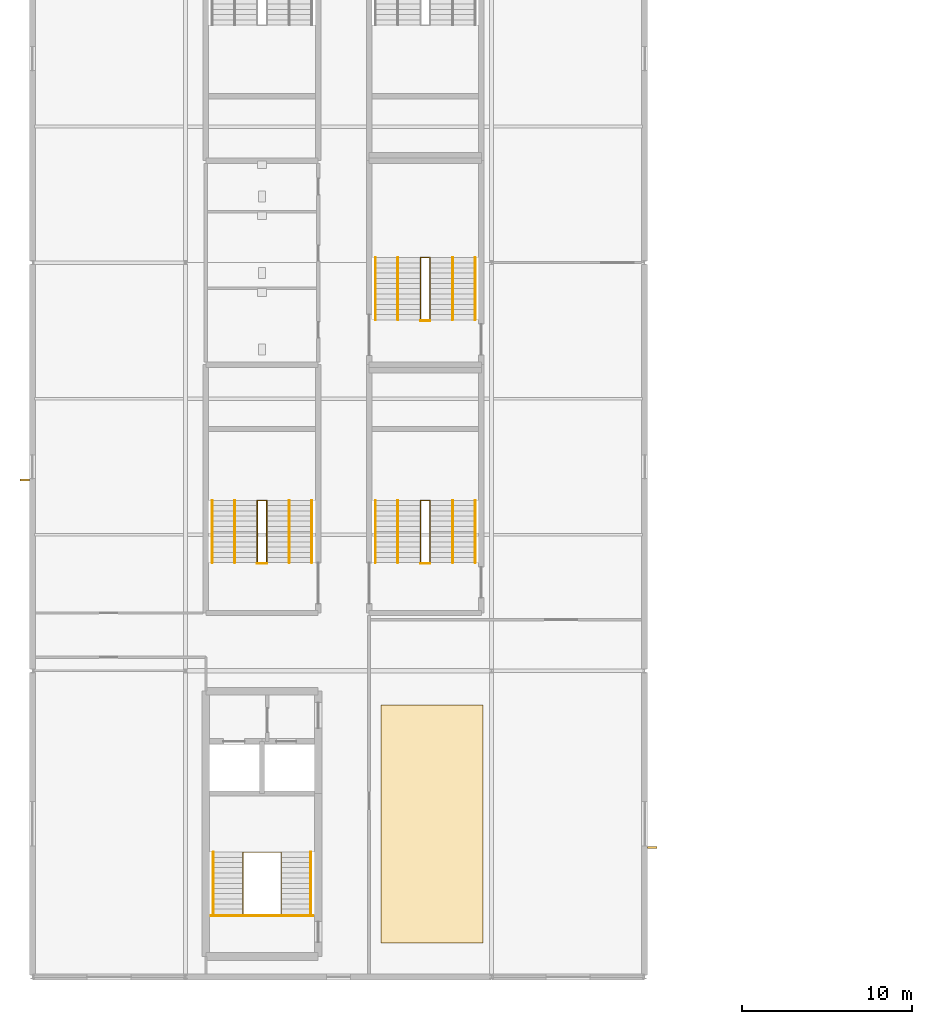
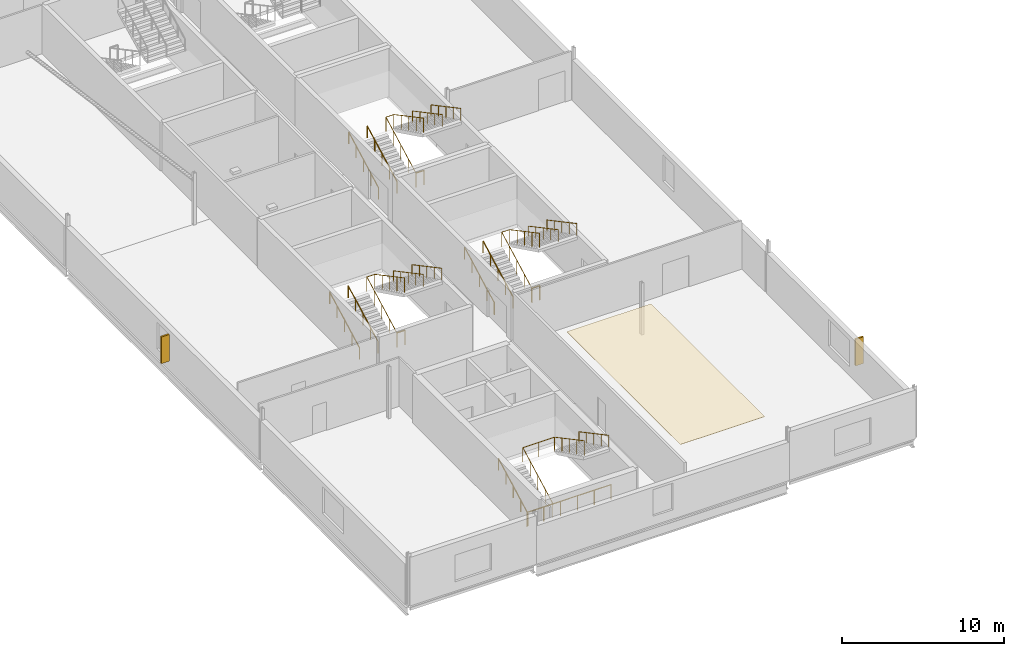
# One storey, part 31 of 35: 22 railings, 2 shading devices, 1 covering.
"""IFC4 building model written with IfcOpenShell, lengths in metres."""

from ifc_helpers import new_model, si_unit, direction, frame, origin, origin_2d, place, context, subcontext, project, spatial, polyline, rectangle, circle, outline, extrude, material, layer, layer_set, type_object, element, save


model = new_model("IFC4")

# Units and contexts
model_context = context("Model", 3, precision=1e-05, world=origin(), true_north=direction((0.0, 1.0)))
body_context = subcontext(model_context, "Body", "Model", "MODEL_VIEW")
ifc_project = project(units=[si_unit("LENGTHUNIT", "METRE"), si_unit("AREAUNIT", "SQUARE_METRE"), si_unit("VOLUMEUNIT", "CUBIC_METRE"), si_unit("PLANEANGLEUNIT", "RADIAN"), si_unit("MASSUNIT", "GRAM", prefix="KILO")], contexts=[model_context])

# Site, building, storey
site_placement = place(None, origin())
site = spatial("IfcSite", under=ifc_project, at=site_placement, CompositionType="ELEMENT")
building_placement = place(site_placement, origin())
building = spatial("IfcBuilding", under=site, at=building_placement, Name="Kisiwana Market Hall", CompositionType="ELEMENT")
storey_placement = place(building_placement, frame((0.0, 0.0, 61.800048828125)))
storey = spatial("IfcBuildingStorey", under=building, at=storey_placement, Name="L14", CompositionType="ELEMENT", Elevation=61.800048828125)

# Covering
ifc_material_1 = material(Name="Mineral-fibre acoustic ceiling board")
ifc_layer = layer(ifc_material_1, 0.02490234375)
ifc_layer_set = layer_set([ifc_layer], Name="COV-CEIL-AC")
covering_type = type_object("IfcCoveringType", Name="COV-CEIL-AC", PredefinedType="CEILING", material=ifc_layer_set)
covering_placement = place(storey_placement, frame((0.0, 0.0, 3.6298828125)))
element("IfcCovering", 1, at=covering_placement, inside=storey, type_object=covering_type, Name="Acoustic ceiling grid L14-031", PredefinedType="CEILING", context=body_context, shape_type="SweptSolid", body=[
    extrude(outline(polyline([(20.5, 20.0), (26.5, 20.0), (26.5, 34.0), (20.5, 34.0), (20.5, 20.0)])), origin(), (0.0, 0.0, 1.0), 0.025146484375),
])

# Railings
ifc_material_2 = material(Name="Steel S275", Category="steel")
railing_type_1 = type_object("IfcRailingType", Name="RL-GUARD-1100", PredefinedType="GUARDRAIL", material=ifc_material_2)
railing_1_placement = place(storey_placement, frame((12.375, 21.674560546875, 0.0)))
element("IfcRailing", 2, at=railing_1_placement, inside=storey, type_object=railing_type_1, Name="Stair ST-W2-L14 inner-well guardrail (RL-1587)", PredefinedType="GUARDRAIL", context=body_context, shape_type="SweptSolid", body=[
    extrude(circle(Radius=0.02392578125, at=origin_2d()), frame((0.0, 0.0, 1.076171875), z_axis=(0.0, 0.88255331184, 0.47021234752), x_axis=(-1.0, 0.0, 0.0)), (0.0, 0.0, 1.0), 4.14697265625),
    extrude(circle(Radius=0.02392578125, at=origin_2d()), frame((0.0, 3.659912109375, 3.02587890625), z_axis=(1.0, 0.0, 0.0), x_axis=(0.0, 1.0, 0.0)), (0.0, 0.0, 1.0), 2.25),
    extrude(circle(Radius=0.02392578125, at=origin_2d()), frame((2.25, 3.659912109375, 3.02587890625), z_axis=(0.0, -0.88255331184, 0.47021234752), x_axis=(1.0, 0.0, 0.0)), (0.0, 0.0, 1.0), 4.14697265625),
    extrude(circle(Radius=0.02099609375, at=origin_2d()), origin(), (0.0, 0.0, 1.0), 1.052001953125),
    extrude(circle(Radius=0.02099609375, at=origin_2d()), frame((0.0, 0.9150390625, 0.487548828125)), (0.0, 0.0, 1.0), 1.052001953125),
    extrude(circle(Radius=0.02099609375, at=origin_2d()), frame((0.0, 1.830078125, 0.97509765625)), (0.0, 0.0, 1.0), 1.052001953125),
    extrude(circle(Radius=0.02099609375, at=origin_2d()), frame((0.0, 2.744873046875, 1.46240234375)), (0.0, 0.0, 1.0), 1.052001953125),
    extrude(circle(Radius=0.02099609375, at=origin_2d()), frame((0.0, 3.659912109375, 1.949951171875)), (0.0, 0.0, 1.0), 1.052001953125),
    extrude(circle(Radius=0.02099609375, at=origin_2d()), frame((1.125, 3.659912109375, 1.949951171875)), (0.0, 0.0, 1.0), 1.052001953125),
    extrude(circle(Radius=0.02099609375, at=origin_2d()), frame((2.25, 3.659912109375, 1.949951171875)), (0.0, 0.0, 1.0), 1.052001953125),
    extrude(circle(Radius=0.02099609375, at=origin_2d()), frame((2.25, 2.744873046875, 2.4375)), (0.0, 0.0, 1.0), 1.052001953125),
    extrude(circle(Radius=0.02099609375, at=origin_2d()), frame((2.25, 1.830078125, 2.9248046875)), (0.0, 0.0, 1.0), 1.052001953125),
    extrude(circle(Radius=0.02099609375, at=origin_2d()), frame((2.25, 0.9150390625, 3.412353515625)), (0.0, 0.0, 1.0), 1.052001953125),
    extrude(circle(Radius=0.02099609375, at=origin_2d()), frame((2.25, 0.0, 3.89990234375)), (0.0, 0.0, 1.0), 1.052001953125),
])
railing_2_placement = place(storey_placement, frame((10.5048828125, 21.594482421875, 0.0)))
element("IfcRailing", 3, at=railing_2_placement, inside=storey, type_object=railing_type_1, Name="Stair ST-W2-L14 landing edge guardrail (RL-1590)", PredefinedType="GUARDRAIL", context=body_context, shape_type="SweptSolid", body=[
    extrude(circle(Radius=0.02392578125, at=origin_2d()), frame((0.0, 0.0, 1.076171875), z_axis=(1.0, 0.0, 0.0), x_axis=(0.0, 1.0, 0.0)), (0.0, 0.0, 1.0), 5.990234375),
    extrude(circle(Radius=0.02099609375, at=origin_2d()), origin(), (0.0, 0.0, 1.0), 1.052001953125),
    extrude(circle(Radius=0.02099609375, at=origin_2d()), frame((1.197998046875, 0.0, 0.0)), (0.0, 0.0, 1.0), 1.052001953125),
    extrude(circle(Radius=0.02099609375, at=origin_2d()), frame((2.39599609375, 0.0, 0.0)), (0.0, 0.0, 1.0), 1.052001953125),
    extrude(circle(Radius=0.02099609375, at=origin_2d()), frame((3.59423828125, 0.0, 0.0)), (0.0, 0.0, 1.0), 1.052001953125),
    extrude(circle(Radius=0.02099609375, at=origin_2d()), frame((4.792236328125, 0.0, 0.0)), (0.0, 0.0, 1.0), 1.052001953125),
    extrude(circle(Radius=0.02099609375, at=origin_2d()), frame((5.990234375, 0.0, 0.0)), (0.0, 0.0, 1.0), 1.052001953125),
])
railing_3_placement = place(storey_placement, frame((13.219970703125, 42.360107421875, 0.0)))
element("IfcRailing", 4, at=railing_3_placement, inside=storey, type_object=railing_type_1, Name="Stair ST-W3-L14 inner-well guardrail (RL-1603)", PredefinedType="GUARDRAIL", context=body_context, shape_type="SweptSolid", body=[
    extrude(circle(Radius=0.02392578125, at=origin_2d()), frame((0.0, 0.0, 1.076171875), z_axis=(0.0, 0.88255331184, 0.47021234752), x_axis=(-1.0, 0.0, 0.0)), (0.0, 0.0, 1.0), 4.14697265625),
    extrude(circle(Radius=0.02392578125, at=origin_2d()), frame((0.0, 3.659912109375, 3.02587890625), z_axis=(1.0, 0.0, 0.0), x_axis=(0.0, 1.0, 0.0)), (0.0, 0.0, 1.0), 0.56005859375),
    extrude(circle(Radius=0.02392578125, at=origin_2d()), frame((0.56005859375, 3.659912109375, 3.02587890625), z_axis=(0.0, -0.88255331184, 0.47021234752), x_axis=(1.0, 0.0, 0.0)), (0.0, 0.0, 1.0), 4.14697265625),
    extrude(circle(Radius=0.02099609375, at=origin_2d()), origin(), (0.0, 0.0, 1.0), 1.052001953125),
    extrude(circle(Radius=0.02099609375, at=origin_2d()), frame((0.0, 0.9150390625, 0.487548828125)), (0.0, 0.0, 1.0), 1.052001953125),
    extrude(circle(Radius=0.02099609375, at=origin_2d()), frame((0.0, 1.830078125, 0.97509765625)), (0.0, 0.0, 1.0), 1.052001953125),
    extrude(circle(Radius=0.02099609375, at=origin_2d()), frame((0.0, 2.744873046875, 1.46240234375)), (0.0, 0.0, 1.0), 1.052001953125),
    extrude(circle(Radius=0.02099609375, at=origin_2d()), frame((0.0, 3.659912109375, 1.949951171875)), (0.0, 0.0, 1.0), 1.052001953125),
    extrude(circle(Radius=0.02099609375, at=origin_2d()), frame((0.56005859375, 3.659912109375, 1.949951171875)), (0.0, 0.0, 1.0), 1.052001953125),
    extrude(circle(Radius=0.02099609375, at=origin_2d()), frame((0.56005859375, 2.744873046875, 2.4375)), (0.0, 0.0, 1.0), 1.052001953125),
    extrude(circle(Radius=0.02099609375, at=origin_2d()), frame((0.56005859375, 1.830078125, 2.9248046875)), (0.0, 0.0, 1.0), 1.052001953125),
    extrude(circle(Radius=0.02099609375, at=origin_2d()), frame((0.56005859375, 0.9150390625, 3.412353515625)), (0.0, 0.0, 1.0), 1.052001953125),
    extrude(circle(Radius=0.02099609375, at=origin_2d()), frame((0.56005859375, 0.0, 3.89990234375)), (0.0, 0.0, 1.0), 1.052001953125),
])
railing_4_placement = place(storey_placement, frame((13.219970703125, 42.31005859375, 0.0)))
element("IfcRailing", 5, at=railing_4_placement, inside=storey, type_object=railing_type_1, Name="Stair ST-W3-L14 landing edge guardrail (RL-1608)", PredefinedType="GUARDRAIL", context=body_context, shape_type="SweptSolid", body=[
    extrude(circle(Radius=0.02392578125, at=origin_2d()), frame((0.0, 0.0, 1.076171875), z_axis=(1.0, 0.0, 0.0), x_axis=(0.0, 1.0, 0.0)), (0.0, 0.0, 1.0), 0.56005859375),
    extrude(circle(Radius=0.02099609375, at=origin_2d()), origin(), (0.0, 0.0, 1.0), 1.052001953125),
    extrude(circle(Radius=0.02099609375, at=origin_2d()), frame((0.56005859375, 0.0, 0.0)), (0.0, 0.0, 1.0), 1.052001953125),
])
railing_5_placement = place(storey_placement, frame((22.820068359375, 42.360107421875, 0.0)))
element("IfcRailing", 6, at=railing_5_placement, inside=storey, type_object=railing_type_1, Name="Stair ST-W7-L14 inner-well guardrail (RL-1627)", PredefinedType="GUARDRAIL", context=body_context, shape_type="SweptSolid", body=[
    extrude(circle(Radius=0.02392578125, at=origin_2d()), frame((0.0, 0.0, 1.076171875), z_axis=(0.0, 0.88255331184, 0.47021234752), x_axis=(-1.0, 0.0, 0.0)), (0.0, 0.0, 1.0), 4.14697265625),
    extrude(circle(Radius=0.02392578125, at=origin_2d()), frame((0.0, 3.659912109375, 3.02587890625), z_axis=(1.0, 0.0, 0.0), x_axis=(0.0, 1.0, 0.0)), (0.0, 0.0, 1.0), 0.559814453125),
    extrude(circle(Radius=0.02392578125, at=origin_2d()), frame((0.559814453125, 3.659912109375, 3.02587890625), z_axis=(0.0, -0.88255331184, 0.47021234752), x_axis=(1.0, 0.0, 0.0)), (0.0, 0.0, 1.0), 4.14697265625),
    extrude(circle(Radius=0.02099609375, at=origin_2d()), origin(), (0.0, 0.0, 1.0), 1.052001953125),
    extrude(circle(Radius=0.02099609375, at=origin_2d()), frame((0.0, 0.9150390625, 0.487548828125)), (0.0, 0.0, 1.0), 1.052001953125),
    extrude(circle(Radius=0.02099609375, at=origin_2d()), frame((0.0, 1.830078125, 0.97509765625)), (0.0, 0.0, 1.0), 1.052001953125),
    extrude(circle(Radius=0.02099609375, at=origin_2d()), frame((0.0, 2.744873046875, 1.46240234375)), (0.0, 0.0, 1.0), 1.052001953125),
    extrude(circle(Radius=0.02099609375, at=origin_2d()), frame((0.0, 3.659912109375, 1.949951171875)), (0.0, 0.0, 1.0), 1.052001953125),
    extrude(circle(Radius=0.02099609375, at=origin_2d()), frame((0.559814453125, 3.659912109375, 1.949951171875)), (0.0, 0.0, 1.0), 1.052001953125),
    extrude(circle(Radius=0.02099609375, at=origin_2d()), frame((0.559814453125, 2.744873046875, 2.4375)), (0.0, 0.0, 1.0), 1.052001953125),
    extrude(circle(Radius=0.02099609375, at=origin_2d()), frame((0.559814453125, 1.830078125, 2.9248046875)), (0.0, 0.0, 1.0), 1.052001953125),
    extrude(circle(Radius=0.02099609375, at=origin_2d()), frame((0.559814453125, 0.9150390625, 3.412353515625)), (0.0, 0.0, 1.0), 1.052001953125),
    extrude(circle(Radius=0.02099609375, at=origin_2d()), frame((0.559814453125, 0.0, 3.89990234375)), (0.0, 0.0, 1.0), 1.052001953125),
])
railing_6_placement = place(storey_placement, frame((22.820068359375, 42.31005859375, 0.0)))
element("IfcRailing", 7, at=railing_6_placement, inside=storey, type_object=railing_type_1, Name="Stair ST-W7-L14 landing edge guardrail (RL-1632)", PredefinedType="GUARDRAIL", context=body_context, shape_type="SweptSolid", body=[
    extrude(circle(Radius=0.02392578125, at=origin_2d()), frame((0.0, 0.0, 1.076171875), z_axis=(1.0, 0.0, 0.0), x_axis=(0.0, 1.0, 0.0)), (0.0, 0.0, 1.0), 0.559814453125),
    extrude(circle(Radius=0.02099609375, at=origin_2d()), origin(), (0.0, 0.0, 1.0), 1.052001953125),
    extrude(circle(Radius=0.02099609375, at=origin_2d()), frame((0.559814453125, 0.0, 0.0)), (0.0, 0.0, 1.0), 1.052001953125),
])
railing_7_placement = place(storey_placement, frame((22.820068359375, 56.639892578125, 0.0)))
element("IfcRailing", 8, at=railing_7_placement, inside=storey, type_object=railing_type_1, Name="Stair ST-W5-L14 inner-well guardrail (RL-1651)", PredefinedType="GUARDRAIL", context=body_context, shape_type="SweptSolid", body=[
    extrude(circle(Radius=0.02392578125, at=origin_2d()), frame((0.0, 0.0, 1.076171875), z_axis=(0.0, 0.882566327451, 0.470187917379), x_axis=(-1.0, 0.0, 0.0)), (0.0, 0.0, 1.0), 4.147216796875),
    extrude(circle(Radius=0.02392578125, at=origin_2d()), frame((0.0, 3.66015625, 3.02587890625), z_axis=(1.0, 0.0, 0.0), x_axis=(0.0, 1.0, 0.0)), (0.0, 0.0, 1.0), 0.559814453125),
    extrude(circle(Radius=0.02392578125, at=origin_2d()), frame((0.559814453125, 3.66015625, 3.02587890625), z_axis=(0.0, -0.882566327451, 0.470187917379), x_axis=(1.0, 0.0, 0.0)), (0.0, 0.0, 1.0), 4.147216796875),
    extrude(circle(Radius=0.02099609375, at=origin_2d()), origin(), (0.0, 0.0, 1.0), 1.052001953125),
    extrude(circle(Radius=0.02099609375, at=origin_2d()), frame((0.0, 0.9150390625, 0.487548828125)), (0.0, 0.0, 1.0), 1.052001953125),
    extrude(circle(Radius=0.02099609375, at=origin_2d()), frame((0.0, 1.830078125, 0.97509765625)), (0.0, 0.0, 1.0), 1.052001953125),
    extrude(circle(Radius=0.02099609375, at=origin_2d()), frame((0.0, 2.7451171875, 1.46240234375)), (0.0, 0.0, 1.0), 1.052001953125),
    extrude(circle(Radius=0.02099609375, at=origin_2d()), frame((0.0, 3.66015625, 1.949951171875)), (0.0, 0.0, 1.0), 1.052001953125),
    extrude(circle(Radius=0.02099609375, at=origin_2d()), frame((0.559814453125, 3.66015625, 1.949951171875)), (0.0, 0.0, 1.0), 1.052001953125),
    extrude(circle(Radius=0.02099609375, at=origin_2d()), frame((0.559814453125, 2.7451171875, 2.4375)), (0.0, 0.0, 1.0), 1.052001953125),
    extrude(circle(Radius=0.02099609375, at=origin_2d()), frame((0.559814453125, 1.830078125, 2.9248046875)), (0.0, 0.0, 1.0), 1.052001953125),
    extrude(circle(Radius=0.02099609375, at=origin_2d()), frame((0.559814453125, 0.9150390625, 3.412353515625)), (0.0, 0.0, 1.0), 1.052001953125),
    extrude(circle(Radius=0.02099609375, at=origin_2d()), frame((0.559814453125, 0.0, 3.89990234375)), (0.0, 0.0, 1.0), 1.052001953125),
])
railing_8_placement = place(storey_placement, frame((22.820068359375, 56.590087890625, 0.0)))
element("IfcRailing", 9, at=railing_8_placement, inside=storey, type_object=railing_type_1, Name="Stair ST-W5-L14 landing edge guardrail (RL-1656)", PredefinedType="GUARDRAIL", context=body_context, shape_type="SweptSolid", body=[
    extrude(circle(Radius=0.02392578125, at=origin_2d()), frame((0.0, 0.0, 1.076171875), z_axis=(1.0, 0.0, 0.0), x_axis=(0.0, 1.0, 0.0)), (0.0, 0.0, 1.0), 0.559814453125),
    extrude(circle(Radius=0.02099609375, at=origin_2d()), origin(), (0.0, 0.0, 1.0), 1.052001953125),
    extrude(circle(Radius=0.02099609375, at=origin_2d()), frame((0.559814453125, 0.0, 0.0)), (0.0, 0.0, 1.0), 1.052001953125),
])
ifc_material_3 = material(Name="Steel S275", Category="steel")
railing_type_2 = type_object("IfcRailingType", Name="RL-HAND-900", PredefinedType="HANDRAIL", material=ifc_material_3)
railing_9_placement = place(storey_placement, frame((10.635009765625, 21.674560546875, 0.0)))
element("IfcRailing", 10, at=railing_9_placement, inside=storey, type_object=railing_type_2, Name="Stair ST-W2-L14 flight 1 handrail (RL-1588)", PredefinedType="HANDRAIL", context=body_context, shape_type="SweptSolid", body=[
    extrude(circle(Radius=0.02392578125, at=origin_2d()), frame((0.0, 0.0, 0.8759765625), z_axis=(0.0, 0.88255331184, 0.47021234752), x_axis=(-1.0, 0.0, 0.0)), (0.0, 0.0, 1.0), 4.14697265625),
    extrude(circle(Radius=0.02099609375, at=origin_2d()), origin(), (0.0, 0.0, 1.0), 0.851806640625),
    extrude(circle(Radius=0.02099609375, at=origin_2d()), frame((0.0, 0.9150390625, 0.487548828125)), (0.0, 0.0, 1.0), 0.851806640625),
    extrude(circle(Radius=0.02099609375, at=origin_2d()), frame((0.0, 1.830078125, 0.97509765625)), (0.0, 0.0, 1.0), 0.851806640625),
    extrude(circle(Radius=0.02099609375, at=origin_2d()), frame((0.0, 2.744873046875, 1.46240234375)), (0.0, 0.0, 1.0), 0.851806640625),
    extrude(circle(Radius=0.02099609375, at=origin_2d()), frame((0.0, 3.659912109375, 1.949951171875)), (0.0, 0.0, 1.0), 0.851806640625),
])
railing_10_placement = place(storey_placement, frame((16.364990234375, 25.33447265625, 1.949951171875)))
element("IfcRailing", 11, at=railing_10_placement, inside=storey, type_object=railing_type_2, Name="Stair ST-W2-L14 flight 2 handrail (RL-1589)", PredefinedType="HANDRAIL", context=body_context, shape_type="SweptSolid", body=[
    extrude(circle(Radius=0.02392578125, at=origin_2d()), frame((0.0, 0.0, 0.8759765625), z_axis=(0.0, -0.88255331184, 0.47021234752), x_axis=(1.0, 0.0, 0.0)), (0.0, 0.0, 1.0), 4.14697265625),
    extrude(circle(Radius=0.02099609375, at=origin_2d()), origin(), (0.0, 0.0, 1.0), 0.851806640625),
    extrude(circle(Radius=0.02099609375, at=origin_2d()), frame((0.0, -0.9150390625, 0.487548828125)), (0.0, 0.0, 1.0), 0.851806640625),
    extrude(circle(Radius=0.02099609375, at=origin_2d()), frame((0.0, -1.830078125, 0.97509765625)), (0.0, 0.0, 1.0), 0.851806640625),
    extrude(circle(Radius=0.02099609375, at=origin_2d()), frame((0.0, -2.744873046875, 1.46240234375)), (0.0, 0.0, 1.0), 0.851806640625),
    extrude(circle(Radius=0.02099609375, at=origin_2d()), frame((0.0, -3.659912109375, 1.949951171875)), (0.0, 0.0, 1.0), 0.851806640625),
])
railing_11_placement = place(storey_placement, frame((10.570068359375, 42.360107421875, 0.0)))
element("IfcRailing", 12, at=railing_11_placement, inside=storey, type_object=railing_type_2, Name="Stair ST-W3-L14 flight 1 handrail (RL-1604)", PredefinedType="HANDRAIL", context=body_context, shape_type="SweptSolid", body=[
    extrude(circle(Radius=0.02392578125, at=origin_2d()), frame((0.0, 0.0, 0.8759765625), z_axis=(0.0, 0.88255331184, 0.47021234752), x_axis=(-1.0, 0.0, 0.0)), (0.0, 0.0, 1.0), 4.14697265625),
    extrude(circle(Radius=0.02099609375, at=origin_2d()), origin(), (0.0, 0.0, 1.0), 0.851806640625),
    extrude(circle(Radius=0.02099609375, at=origin_2d()), frame((0.0, 0.9150390625, 0.487548828125)), (0.0, 0.0, 1.0), 0.851806640625),
    extrude(circle(Radius=0.02099609375, at=origin_2d()), frame((0.0, 1.830078125, 0.97509765625)), (0.0, 0.0, 1.0), 0.851806640625),
    extrude(circle(Radius=0.02099609375, at=origin_2d()), frame((0.0, 2.744873046875, 1.46240234375)), (0.0, 0.0, 1.0), 0.851806640625),
    extrude(circle(Radius=0.02099609375, at=origin_2d()), frame((0.0, 3.659912109375, 1.949951171875)), (0.0, 0.0, 1.0), 0.851806640625),
])
railing_12_placement = place(storey_placement, frame((16.429931640625, 46.02001953125, 1.949951171875)))
element("IfcRailing", 13, at=railing_12_placement, inside=storey, type_object=railing_type_2, Name="Stair ST-W3-L14 flight 2 handrail (RL-1605)", PredefinedType="HANDRAIL", context=body_context, shape_type="SweptSolid", body=[
    extrude(circle(Radius=0.02392578125, at=origin_2d()), frame((0.0, 0.0, 0.8759765625), z_axis=(0.0, -0.88255331184, 0.47021234752), x_axis=(1.0, 0.0, 0.0)), (0.0, 0.0, 1.0), 4.14697265625),
    extrude(circle(Radius=0.02099609375, at=origin_2d()), origin(), (0.0, 0.0, 1.0), 0.851806640625),
    extrude(circle(Radius=0.02099609375, at=origin_2d()), frame((0.0, -0.9150390625, 0.487548828125)), (0.0, 0.0, 1.0), 0.851806640625),
    extrude(circle(Radius=0.02099609375, at=origin_2d()), frame((0.0, -1.830078125, 0.97509765625)), (0.0, 0.0, 1.0), 0.851806640625),
    extrude(circle(Radius=0.02099609375, at=origin_2d()), frame((0.0, -2.744873046875, 1.46240234375)), (0.0, 0.0, 1.0), 0.851806640625),
    extrude(circle(Radius=0.02099609375, at=origin_2d()), frame((0.0, -3.659912109375, 1.949951171875)), (0.0, 0.0, 1.0), 0.851806640625),
])
railing_13_placement = place(storey_placement, frame((11.889892578125, 42.360107421875, 0.0)))
element("IfcRailing", 14, at=railing_13_placement, inside=storey, type_object=railing_type_2, Name="Stair ST-W3-L14 flight 1 intermediate handrail (RL-1606)", PredefinedType="HANDRAIL", context=body_context, shape_type="SweptSolid", body=[
    extrude(circle(Radius=0.02392578125, at=origin_2d()), frame((0.0, 0.0, 0.8759765625), z_axis=(0.0, 0.88255331184, 0.47021234752), x_axis=(-1.0, 0.0, 0.0)), (0.0, 0.0, 1.0), 4.14697265625),
    extrude(circle(Radius=0.02099609375, at=origin_2d()), origin(), (0.0, 0.0, 1.0), 0.851806640625),
    extrude(circle(Radius=0.02099609375, at=origin_2d()), frame((0.0, 0.9150390625, 0.487548828125)), (0.0, 0.0, 1.0), 0.851806640625),
    extrude(circle(Radius=0.02099609375, at=origin_2d()), frame((0.0, 1.830078125, 0.97509765625)), (0.0, 0.0, 1.0), 0.851806640625),
    extrude(circle(Radius=0.02099609375, at=origin_2d()), frame((0.0, 2.744873046875, 1.46240234375)), (0.0, 0.0, 1.0), 0.851806640625),
    extrude(circle(Radius=0.02099609375, at=origin_2d()), frame((0.0, 3.659912109375, 1.949951171875)), (0.0, 0.0, 1.0), 0.851806640625),
])
railing_14_placement = place(storey_placement, frame((15.110107421875, 46.02001953125, 1.949951171875)))
element("IfcRailing", 15, at=railing_14_placement, inside=storey, type_object=railing_type_2, Name="Stair ST-W3-L14 flight 2 intermediate handrail (RL-1607)", PredefinedType="HANDRAIL", context=body_context, shape_type="SweptSolid", body=[
    extrude(circle(Radius=0.02392578125, at=origin_2d()), frame((0.0, 0.0, 0.8759765625), z_axis=(0.0, -0.88255331184, 0.47021234752), x_axis=(1.0, 0.0, 0.0)), (0.0, 0.0, 1.0), 4.14697265625),
    extrude(circle(Radius=0.02099609375, at=origin_2d()), origin(), (0.0, 0.0, 1.0), 0.851806640625),
    extrude(circle(Radius=0.02099609375, at=origin_2d()), frame((0.0, -0.9150390625, 0.487548828125)), (0.0, 0.0, 1.0), 0.851806640625),
    extrude(circle(Radius=0.02099609375, at=origin_2d()), frame((0.0, -1.830078125, 0.97509765625)), (0.0, 0.0, 1.0), 0.851806640625),
    extrude(circle(Radius=0.02099609375, at=origin_2d()), frame((0.0, -2.744873046875, 1.46240234375)), (0.0, 0.0, 1.0), 0.851806640625),
    extrude(circle(Radius=0.02099609375, at=origin_2d()), frame((0.0, -3.659912109375, 1.949951171875)), (0.0, 0.0, 1.0), 0.851806640625),
])
railing_15_placement = place(storey_placement, frame((20.169921875, 42.360107421875, 0.0)))
element("IfcRailing", 16, at=railing_15_placement, inside=storey, type_object=railing_type_2, Name="Stair ST-W7-L14 flight 1 handrail (RL-1628)", PredefinedType="HANDRAIL", context=body_context, shape_type="SweptSolid", body=[
    extrude(circle(Radius=0.02392578125, at=origin_2d()), frame((0.0, 0.0, 0.8759765625), z_axis=(0.0, 0.88255331184, 0.47021234752), x_axis=(-1.0, 0.0, 0.0)), (0.0, 0.0, 1.0), 4.14697265625),
    extrude(circle(Radius=0.02099609375, at=origin_2d()), origin(), (0.0, 0.0, 1.0), 0.851806640625),
    extrude(circle(Radius=0.02099609375, at=origin_2d()), frame((0.0, 0.9150390625, 0.487548828125)), (0.0, 0.0, 1.0), 0.851806640625),
    extrude(circle(Radius=0.02099609375, at=origin_2d()), frame((0.0, 1.830078125, 0.97509765625)), (0.0, 0.0, 1.0), 0.851806640625),
    extrude(circle(Radius=0.02099609375, at=origin_2d()), frame((0.0, 2.744873046875, 1.46240234375)), (0.0, 0.0, 1.0), 0.851806640625),
    extrude(circle(Radius=0.02099609375, at=origin_2d()), frame((0.0, 3.659912109375, 1.949951171875)), (0.0, 0.0, 1.0), 0.851806640625),
])
railing_16_placement = place(storey_placement, frame((26.030029296875, 46.02001953125, 1.949951171875)))
element("IfcRailing", 17, at=railing_16_placement, inside=storey, type_object=railing_type_2, Name="Stair ST-W7-L14 flight 2 handrail (RL-1629)", PredefinedType="HANDRAIL", context=body_context, shape_type="SweptSolid", body=[
    extrude(circle(Radius=0.02392578125, at=origin_2d()), frame((0.0, 0.0, 0.8759765625), z_axis=(0.0, -0.88255331184, 0.47021234752), x_axis=(1.0, 0.0, 0.0)), (0.0, 0.0, 1.0), 4.14697265625),
    extrude(circle(Radius=0.02099609375, at=origin_2d()), origin(), (0.0, 0.0, 1.0), 0.851806640625),
    extrude(circle(Radius=0.02099609375, at=origin_2d()), frame((0.0, -0.9150390625, 0.487548828125)), (0.0, 0.0, 1.0), 0.851806640625),
    extrude(circle(Radius=0.02099609375, at=origin_2d()), frame((0.0, -1.830078125, 0.97509765625)), (0.0, 0.0, 1.0), 0.851806640625),
    extrude(circle(Radius=0.02099609375, at=origin_2d()), frame((0.0, -2.744873046875, 1.46240234375)), (0.0, 0.0, 1.0), 0.851806640625),
    extrude(circle(Radius=0.02099609375, at=origin_2d()), frame((0.0, -3.659912109375, 1.949951171875)), (0.0, 0.0, 1.0), 0.851806640625),
])
railing_17_placement = place(storey_placement, frame((21.489990234375, 42.360107421875, 0.0)))
element("IfcRailing", 18, at=railing_17_placement, inside=storey, type_object=railing_type_2, Name="Stair ST-W7-L14 flight 1 intermediate handrail (RL-1630)", PredefinedType="HANDRAIL", context=body_context, shape_type="SweptSolid", body=[
    extrude(circle(Radius=0.02392578125, at=origin_2d()), frame((0.0, 0.0, 0.8759765625), z_axis=(0.0, 0.88255331184, 0.47021234752), x_axis=(-1.0, 0.0, 0.0)), (0.0, 0.0, 1.0), 4.14697265625),
    extrude(circle(Radius=0.02099609375, at=origin_2d()), origin(), (0.0, 0.0, 1.0), 0.851806640625),
    extrude(circle(Radius=0.02099609375, at=origin_2d()), frame((0.0, 0.9150390625, 0.487548828125)), (0.0, 0.0, 1.0), 0.851806640625),
    extrude(circle(Radius=0.02099609375, at=origin_2d()), frame((0.0, 1.830078125, 0.97509765625)), (0.0, 0.0, 1.0), 0.851806640625),
    extrude(circle(Radius=0.02099609375, at=origin_2d()), frame((0.0, 2.744873046875, 1.46240234375)), (0.0, 0.0, 1.0), 0.851806640625),
    extrude(circle(Radius=0.02099609375, at=origin_2d()), frame((0.0, 3.659912109375, 1.949951171875)), (0.0, 0.0, 1.0), 0.851806640625),
])
railing_18_placement = place(storey_placement, frame((24.7099609375, 46.02001953125, 1.949951171875)))
element("IfcRailing", 19, at=railing_18_placement, inside=storey, type_object=railing_type_2, Name="Stair ST-W7-L14 flight 2 intermediate handrail (RL-1631)", PredefinedType="HANDRAIL", context=body_context, shape_type="SweptSolid", body=[
    extrude(circle(Radius=0.02392578125, at=origin_2d()), frame((0.0, 0.0, 0.8759765625), z_axis=(0.0, -0.88255331184, 0.47021234752), x_axis=(1.0, 0.0, 0.0)), (0.0, 0.0, 1.0), 4.14697265625),
    extrude(circle(Radius=0.02099609375, at=origin_2d()), origin(), (0.0, 0.0, 1.0), 0.851806640625),
    extrude(circle(Radius=0.02099609375, at=origin_2d()), frame((0.0, -0.9150390625, 0.487548828125)), (0.0, 0.0, 1.0), 0.851806640625),
    extrude(circle(Radius=0.02099609375, at=origin_2d()), frame((0.0, -1.830078125, 0.97509765625)), (0.0, 0.0, 1.0), 0.851806640625),
    extrude(circle(Radius=0.02099609375, at=origin_2d()), frame((0.0, -2.744873046875, 1.46240234375)), (0.0, 0.0, 1.0), 0.851806640625),
    extrude(circle(Radius=0.02099609375, at=origin_2d()), frame((0.0, -3.659912109375, 1.949951171875)), (0.0, 0.0, 1.0), 0.851806640625),
])
railing_19_placement = place(storey_placement, frame((20.169921875, 56.639892578125, 0.0)))
element("IfcRailing", 20, at=railing_19_placement, inside=storey, type_object=railing_type_2, Name="Stair ST-W5-L14 flight 1 handrail (RL-1652)", PredefinedType="HANDRAIL", context=body_context, shape_type="SweptSolid", body=[
    extrude(circle(Radius=0.02392578125, at=origin_2d()), frame((0.0, 0.0, 0.8759765625), z_axis=(0.0, 0.882566327451, 0.470187917379), x_axis=(-1.0, 0.0, 0.0)), (0.0, 0.0, 1.0), 4.147216796875),
    extrude(circle(Radius=0.02099609375, at=origin_2d()), origin(), (0.0, 0.0, 1.0), 0.851806640625),
    extrude(circle(Radius=0.02099609375, at=origin_2d()), frame((0.0, 0.9150390625, 0.487548828125)), (0.0, 0.0, 1.0), 0.851806640625),
    extrude(circle(Radius=0.02099609375, at=origin_2d()), frame((0.0, 1.830078125, 0.97509765625)), (0.0, 0.0, 1.0), 0.851806640625),
    extrude(circle(Radius=0.02099609375, at=origin_2d()), frame((0.0, 2.7451171875, 1.46240234375)), (0.0, 0.0, 1.0), 0.851806640625),
    extrude(circle(Radius=0.02099609375, at=origin_2d()), frame((0.0, 3.66015625, 1.949951171875)), (0.0, 0.0, 1.0), 0.851806640625),
])
railing_20_placement = place(storey_placement, frame((26.030029296875, 60.300048828125, 1.949951171875)))
element("IfcRailing", 21, at=railing_20_placement, inside=storey, type_object=railing_type_2, Name="Stair ST-W5-L14 flight 2 handrail (RL-1653)", PredefinedType="HANDRAIL", context=body_context, shape_type="SweptSolid", body=[
    extrude(circle(Radius=0.02392578125, at=origin_2d()), frame((0.0, 0.0, 0.8759765625), z_axis=(0.0, -0.882566327451, 0.470187917379), x_axis=(1.0, 0.0, 0.0)), (0.0, 0.0, 1.0), 4.147216796875),
    extrude(circle(Radius=0.02099609375, at=origin_2d()), origin(), (0.0, 0.0, 1.0), 0.851806640625),
    extrude(circle(Radius=0.02099609375, at=origin_2d()), frame((0.0, -0.9150390625, 0.487548828125)), (0.0, 0.0, 1.0), 0.851806640625),
    extrude(circle(Radius=0.02099609375, at=origin_2d()), frame((0.0, -1.830078125, 0.97509765625)), (0.0, 0.0, 1.0), 0.851806640625),
    extrude(circle(Radius=0.02099609375, at=origin_2d()), frame((0.0, -2.7451171875, 1.46240234375)), (0.0, 0.0, 1.0), 0.851806640625),
    extrude(circle(Radius=0.02099609375, at=origin_2d()), frame((0.0, -3.66015625, 1.949951171875)), (0.0, 0.0, 1.0), 0.851806640625),
])
railing_21_placement = place(storey_placement, frame((21.489990234375, 56.639892578125, 0.0)))
element("IfcRailing", 22, at=railing_21_placement, inside=storey, type_object=railing_type_2, Name="Stair ST-W5-L14 flight 1 intermediate handrail (RL-1654)", PredefinedType="HANDRAIL", context=body_context, shape_type="SweptSolid", body=[
    extrude(circle(Radius=0.02392578125, at=origin_2d()), frame((0.0, 0.0, 0.8759765625), z_axis=(0.0, 0.882566327451, 0.470187917379), x_axis=(-1.0, 0.0, 0.0)), (0.0, 0.0, 1.0), 4.147216796875),
    extrude(circle(Radius=0.02099609375, at=origin_2d()), origin(), (0.0, 0.0, 1.0), 0.851806640625),
    extrude(circle(Radius=0.02099609375, at=origin_2d()), frame((0.0, 0.9150390625, 0.487548828125)), (0.0, 0.0, 1.0), 0.851806640625),
    extrude(circle(Radius=0.02099609375, at=origin_2d()), frame((0.0, 1.830078125, 0.97509765625)), (0.0, 0.0, 1.0), 0.851806640625),
    extrude(circle(Radius=0.02099609375, at=origin_2d()), frame((0.0, 2.7451171875, 1.46240234375)), (0.0, 0.0, 1.0), 0.851806640625),
    extrude(circle(Radius=0.02099609375, at=origin_2d()), frame((0.0, 3.66015625, 1.949951171875)), (0.0, 0.0, 1.0), 0.851806640625),
])
railing_22_placement = place(storey_placement, frame((24.7099609375, 60.300048828125, 1.949951171875)))
element("IfcRailing", 23, at=railing_22_placement, inside=storey, type_object=railing_type_2, Name="Stair ST-W5-L14 flight 2 intermediate handrail (RL-1655)", PredefinedType="HANDRAIL", context=body_context, shape_type="SweptSolid", body=[
    extrude(circle(Radius=0.02392578125, at=origin_2d()), frame((0.0, 0.0, 0.8759765625), z_axis=(0.0, -0.882566327451, 0.470187917379), x_axis=(1.0, 0.0, 0.0)), (0.0, 0.0, 1.0), 4.147216796875),
    extrude(circle(Radius=0.02099609375, at=origin_2d()), origin(), (0.0, 0.0, 1.0), 0.851806640625),
    extrude(circle(Radius=0.02099609375, at=origin_2d()), frame((0.0, -0.9150390625, 0.487548828125)), (0.0, 0.0, 1.0), 0.851806640625),
    extrude(circle(Radius=0.02099609375, at=origin_2d()), frame((0.0, -1.830078125, 0.97509765625)), (0.0, 0.0, 1.0), 0.851806640625),
    extrude(circle(Radius=0.02099609375, at=origin_2d()), frame((0.0, -2.7451171875, 1.46240234375)), (0.0, 0.0, 1.0), 0.851806640625),
    extrude(circle(Radius=0.02099609375, at=origin_2d()), frame((0.0, -3.66015625, 1.949951171875)), (0.0, 0.0, 1.0), 0.851806640625),
])

# Shading devices
ifc_material_4 = material(Name="Aluminium alloy 6063-T6", Category="aluminium")
shading_device_type = type_object("IfcShadingDeviceType", Name="SHD-SHUTTER-V", PredefinedType="SHUTTER", material=ifc_material_4)
for number, where, z_axis, x_axis, name in (
    (24, (-0.45751953125, 47.219970703125, 0.699951171875), (0.0, 0.0, 1.0), (0.0, 1.0, 0.0), "Vertical solar fin SHD-216 SD-215"),
    (25, (36.45751953125, 25.6201171875, 0.699951171875), (0.0, 0.0, 1.0), (0.0, 1.0, 0.0), "Vertical solar fin SHD-217 SD-216"),
):
    element("IfcShadingDevice", number, at=place(storey_placement, frame(where, z_axis=z_axis, x_axis=x_axis)), inside=storey, type_object=shading_device_type, Name=name, PredefinedType="SHUTTER", context=body_context, shape_type="SweptSolid", body=[
        extrude(rectangle(XDim=0.1201171875, YDim=0.550048828125, at=origin_2d()), origin(), (0.0, 0.0, 1.0), 2.0),
    ])

save(model, "model.ifc")
